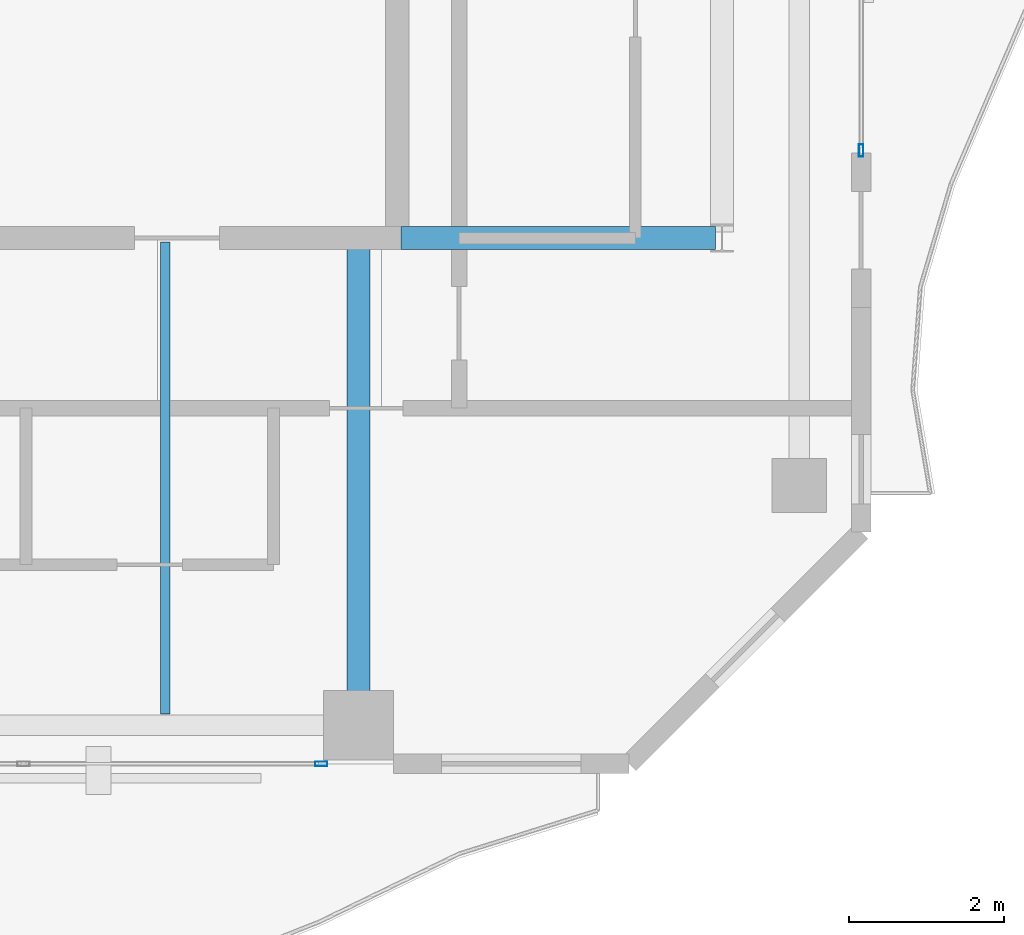
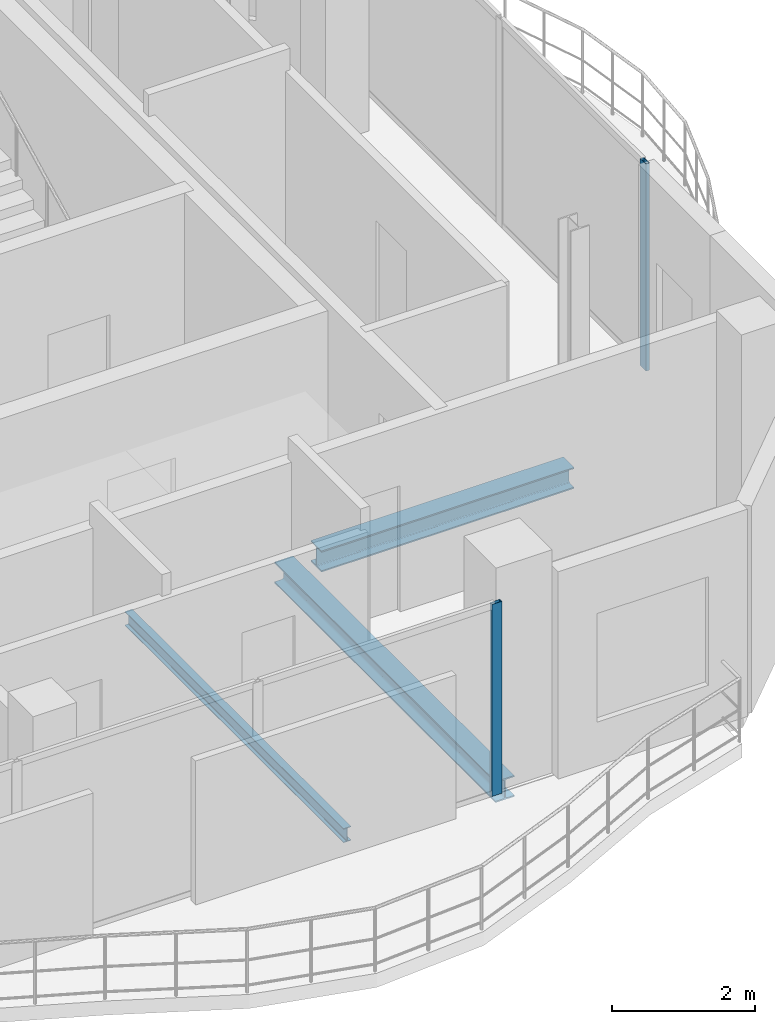
# One storey, part 14 of 22: 3 beams, 2 members, 2 elements without a shape of their own.
"""IFC4 building model written with IfcOpenShell, lengths in metres."""

from ifc_helpers import new_model, si_unit, direction, frame, origin, origin_2d, place, context, subcontext, project, spatial, hollow_rectangle, i_section, extrude, material, layer, layer_set, material_profile, profile_set, type_object, element, aggregate, save


model = new_model("IFC4")

# Units and contexts
model_context = context("Model", 3, precision=1e-05, world=origin(), true_north=direction((0.0, 1.0)))
body_context = subcontext(model_context, "Body", "Model", "MODEL_VIEW")
ifc_project = project(units=[si_unit("LENGTHUNIT", "METRE"), si_unit("AREAUNIT", "SQUARE_METRE"), si_unit("VOLUMEUNIT", "CUBIC_METRE"), si_unit("PLANEANGLEUNIT", "RADIAN"), si_unit("MASSUNIT", "GRAM", prefix="KILO")], contexts=[model_context])

# Site, building, storey
site_placement = place(None, origin())
site = spatial("IfcSite", under=ifc_project, at=site_placement, CompositionType="ELEMENT")
building_placement = place(site_placement, origin())
building = spatial("IfcBuilding", under=site, at=building_placement, Name="Catumbela Crestline Tower", CompositionType="ELEMENT")
storey_placement = place(building_placement, frame((0.0, 0.0, 256.4)))
storey = spatial("IfcBuildingStorey", under=building, at=storey_placement, Name="L66", CompositionType="ELEMENT", Elevation=256.4)

# Beams
ifc_material_1 = material(Name="Structural steel S355J2", Category="steel")
ifc_material_profile_1 = material_profile(ifc_material_1, i_section(OverallWidth=0.3, OverallDepth=0.36, WebThickness=0.0125, FlangeThickness=0.0225, FilletRadius=0.027, at=origin_2d()), Name="HEB 360")
ifc_profile_set_1 = profile_set([ifc_material_profile_1], Name="Structural steel S355J2")
beam_type_1 = type_object("IfcBeamType", Name="BG-HEB360", PredefinedType="BEAM", material=ifc_profile_set_1)
beam_1_placement = place(storey_placement, frame((40.05, 30.8, -0.44), z_axis=(1.0, 0.0, 0.0), x_axis=(0.0, 1.0, 0.0)))
element("IfcBeam", 1, at=beam_1_placement, inside=storey, type_object=beam_type_1, Name="L66 Beam BM-L66-M08", PredefinedType="BEAM", context=body_context, shape_type="SweptSolid", body=[
    extrude(i_section(OverallWidth=0.3, OverallDepth=0.36, WebThickness=0.0125, FlangeThickness=0.0225, FilletRadius=0.027, at=origin_2d()), origin(), (0.0, 0.0, 1.0), 4.07),
])
beam_2_placement = place(storey_placement, frame((39.5, 24.58, -0.44), z_axis=(0.0, 1.0, 0.0), x_axis=(-1.0, 0.0, 0.0)))
element("IfcBeam", 2, at=beam_2_placement, inside=storey, type_object=beam_type_1, Name="L66 Beam BM-L66-SNS18", PredefinedType="BEAM", context=body_context, shape_type="SweptSolid", body=[
    extrude(i_section(OverallWidth=0.3, OverallDepth=0.36, WebThickness=0.0125, FlangeThickness=0.0225, FilletRadius=0.027, at=origin_2d()), origin(), (0.0, 0.0, 1.0), 6.17),
])
ifc_material_profile_2 = material_profile(ifc_material_1, i_section(OverallWidth=0.12, OverallDepth=0.24, WebThickness=0.0062, FlangeThickness=0.0098, FilletRadius=0.015, at=origin_2d()), Name="IPE 240")
ifc_profile_set_2 = profile_set([ifc_material_profile_2], Name="Structural steel S355J2")
beam_type_2 = type_object("IfcBeamType", Name="BJ-IPE240", PredefinedType="JOIST", material=ifc_profile_set_2)
beam_3_placement = place(storey_placement, frame((37.0, 24.647, -0.38), z_axis=(0.0, 1.0, 0.0), x_axis=(-1.0, 0.0, 0.0)))
element("IfcBeam", 3, at=beam_3_placement, inside=storey, type_object=beam_type_2, Name="L66 Joist JS-L66-SP26", PredefinedType="JOIST", context=body_context, shape_type="SweptSolid", body=[
    extrude(i_section(OverallWidth=0.12, OverallDepth=0.24, WebThickness=0.0062, FlangeThickness=0.0098, FilletRadius=0.015, at=origin_2d()), origin(), (0.0, 0.0, 1.0), 6.103),
])

# Curtain wall, member
ifc_material_2 = material(Name="Aluminium alloy AW-6060-T66", Category="aluminium")
ifc_layer = layer(ifc_material_2, 0.18, Name="Aluminium alloy AW-6060-T66")
ifc_layer_set = layer_set([ifc_layer], Name="Aluminium alloy AW-6060-T66")
curtain_wall_type = type_object("IfcCurtainWallType", Name="CWU-Z4", PredefinedType="USERDEFINED", material=ifc_layer_set)
curtain_wall_1_placement = place(storey_placement, origin())
curtain_wall_1 = element("IfcCurtainWall", 4, at=curtain_wall_1_placement, inside=storey, type_object=curtain_wall_type, Name="L66 Unitised Curtain Wall CW-L66-E3S2", ObjectType="UNITISED", PredefinedType="USERDEFINED")
ifc_material_profile_3 = material_profile(ifc_material_2, hollow_rectangle(XDim=0.06, YDim=0.16, WallThickness=0.004, at=origin_2d()), Name="ALU 160x60x4")
ifc_profile_set_3 = profile_set([ifc_material_profile_3], Name="Aluminium alloy AW-6060-T66")
member_type = type_object("IfcMemberType", Name="MUL-160X60", PredefinedType="MULLION", material=ifc_profile_set_3)
member_1_placement = place(storey_placement, frame((39.0175, 24.0, 0.0), z_axis=(0.0, 0.0, 1.0), x_axis=(0.0, 1.0, 0.0)))
member_1 = element("IfcMember", 5, at=member_1_placement, type_object=member_type, Name="CWU-Z4 mullion 4", PredefinedType="MULLION", context=body_context, shape_type="SweptSolid", body=[
    extrude(hollow_rectangle(XDim=0.06, YDim=0.16, WallThickness=0.004, at=origin_2d()), origin(), (0.0, 0.0, 1.0), 3.27),
])
aggregate(curtain_wall_1, [member_1])

curtain_wall_2_placement = place(storey_placement, origin())
curtain_wall_2 = element("IfcCurtainWall", 6, at=curtain_wall_2_placement, inside=storey, type_object=curtain_wall_type, Name="L66 Unitised Curtain Wall CW-L66-E5S2", ObjectType="UNITISED", PredefinedType="USERDEFINED")
member_2_placement = place(storey_placement, frame((46.0, 31.9325, 0.0), z_axis=(0.0, 0.0, 1.0), x_axis=(-1.0, 0.0, 0.0)))
member_2 = element("IfcMember", 7, at=member_2_placement, type_object=member_type, Name="CWU-Z4 mullion 1", PredefinedType="MULLION", context=body_context, shape_type="SweptSolid", body=[
    extrude(hollow_rectangle(XDim=0.06, YDim=0.16, WallThickness=0.004, at=origin_2d()), origin(), (0.0, 0.0, 1.0), 3.53),
])
aggregate(curtain_wall_2, [member_2])

save(model, "model.ifc")
